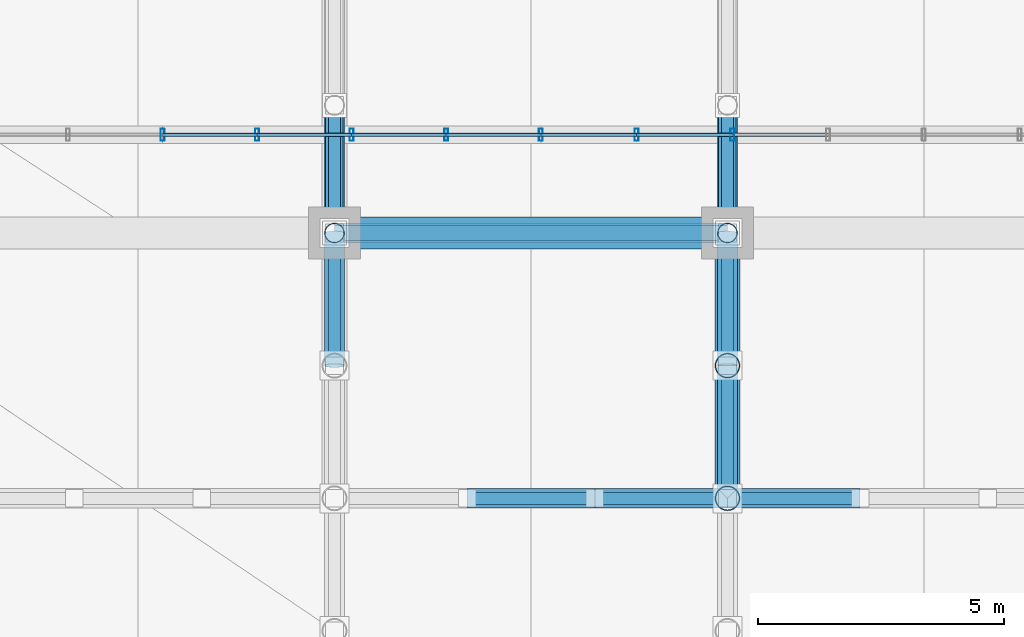
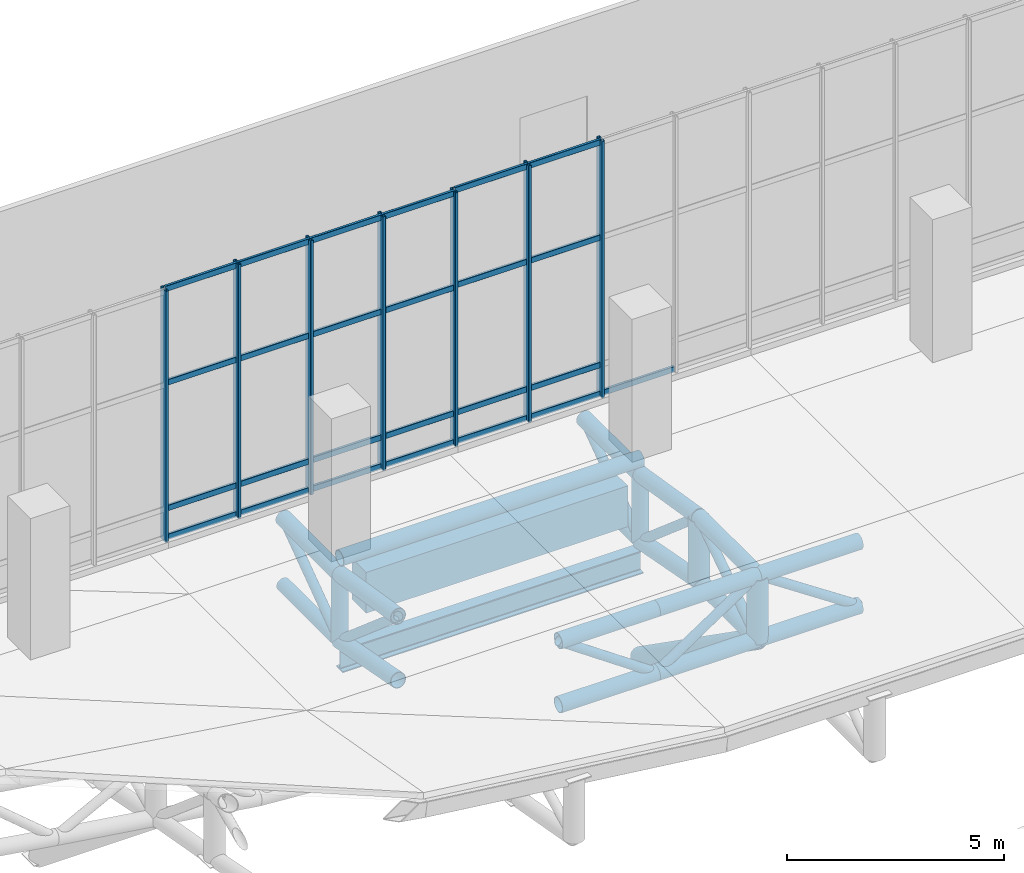
# One storey, part 26 of 137: 62 members, 2 beams, 3 elements without a shape of their own.
"""IFC4 building model written with IfcOpenShell, lengths in metres."""

from ifc_helpers import new_model, si_unit, direction, frame, origin, origin_2d, place, context, subcontext, project, spatial, rectangle, hollow_rectangle, hollow_circle, i_section, extrude, material, layer, layer_set, material_profile, profile_set, type_object, element, aggregate, save


model = new_model("IFC4")

# Units and contexts
model_context = context("Model", 3, precision=1e-05, world=origin(), true_north=direction((0.0, 1.0)))
body_context = subcontext(model_context, "Body", "Model", "MODEL_VIEW")
ifc_project = project(units=[si_unit("LENGTHUNIT", "METRE"), si_unit("AREAUNIT", "SQUARE_METRE"), si_unit("VOLUMEUNIT", "CUBIC_METRE"), si_unit("PLANEANGLEUNIT", "RADIAN"), si_unit("MASSUNIT", "GRAM", prefix="KILO")], contexts=[model_context])

# Site, building, storey
site_placement = place(None, origin())
site = spatial("IfcSite", under=ifc_project, at=site_placement, CompositionType="ELEMENT")
building_placement = place(site_placement, origin())
building = spatial("IfcBuilding", under=site, at=building_placement, Name="Khorjan Park Terminus", CompositionType="ELEMENT")
storey_placement = place(building_placement, frame((0.0, 0.0, 11.4)))
storey = spatial("IfcBuildingStorey", under=building, at=storey_placement, Name="L02", CompositionType="ELEMENT", Elevation=11.4)

# Members
ifc_material_1 = material(Name="Steel S355", Category="steel")
ifc_material_profile_1 = material_profile(ifc_material_1, hollow_circle(Radius=0.1222, WallThickness=0.0125, at=origin_2d()), Name="CHS 244.5x12.5")
ifc_profile_set_1 = profile_set([ifc_material_profile_1], Name="Steel S355")
member_type_1 = type_object("IfcMemberType", Name="MB-BR-245", PredefinedType="BRACE", material=ifc_profile_set_1)
for number, where, z_axis, x_axis, name in (
    (1, (80.0, 26.0, -1.92), (0.0, 0.811830357573, 0.583893372562), (-1.0, 0.0, 0.0), "Lower shell cantilever truss diagonal (5S)"),
    (2, (88.0, 26.0, -1.92), (0.0, 0.811830357573, 0.583893372562), (-1.0, 0.0, 0.0), "Lower shell cantilever truss diagonal (6S)"),
):
    element("IfcMember", number, at=place(storey_placement, frame(where, z_axis=z_axis, x_axis=x_axis)), inside=storey, type_object=member_type_1, Name=name, PredefinedType="BRACE", context=body_context, shape_type="SweptSolid", body=[
        extrude(hollow_circle(Radius=0.1222, WallThickness=0.0125, at=origin_2d()), origin(), (0.0, 0.0, 1.0), 3.2026),
    ])
ifc_material_profile_2 = material_profile(ifc_material_1, hollow_circle(Radius=0.1222, WallThickness=0.0125, at=origin_2d()), Name="CHS 244.5x12.5")
ifc_profile_set_2 = profile_set([ifc_material_profile_2], Name="Steel S355")
member_type_2 = type_object("IfcMemberType", Name="MB-BRE-245", PredefinedType="BRACE", material=ifc_profile_set_2)
member_1_placement = place(storey_placement, frame((80.0, 23.3, 0.392), z_axis=(0.0, 0.759574242279, -0.650420610426), x_axis=(-1.0, 0.0, 0.0)))
element("IfcMember", 3, at=member_1_placement, inside=storey, type_object=member_type_2, Name="Lower shell cantilever truss diagonal (5S)", PredefinedType="BRACE", context=body_context, shape_type="SweptSolid", body=[
    extrude(hollow_circle(Radius=0.1222, WallThickness=0.0125, at=origin_2d()), origin(), (0.0, 0.0, 1.0), 3.5546),
])
member_2_placement = place(storey_placement, frame((88.0, 20.6, -1.408), z_axis=(0.0, 0.832050294338, 0.554700196225), x_axis=(-1.0, 0.0, 0.0)))
element("IfcMember", 4, at=member_2_placement, inside=storey, type_object=member_type_2, Name="Lower shell cantilever truss diagonal (6S)", PredefinedType="BRACE", context=body_context, shape_type="SweptSolid", body=[
    extrude(hollow_circle(Radius=0.1222, WallThickness=0.0125, at=origin_2d()), origin(), (0.0, 0.0, 1.0), 3.245),
])
member_3_placement = place(storey_placement, frame((88.0, 23.3, 0.392), z_axis=(0.0, 0.759574242279, -0.650420610426), x_axis=(-1.0, 0.0, 0.0)))
element("IfcMember", 5, at=member_3_placement, inside=storey, type_object=member_type_2, Name="Lower shell cantilever truss diagonal (6S)", PredefinedType="BRACE", context=body_context, shape_type="SweptSolid", body=[
    extrude(hollow_circle(Radius=0.1222, WallThickness=0.0125, at=origin_2d()), origin(), (0.0, 0.0, 1.0), 3.5546),
])
member_4_placement = place(storey_placement, frame((82.7, 20.6, 0.392), z_axis=(0.822192191644, 0.0, -0.56920997883), x_axis=(0.0, 1.0, 0.0)))
element("IfcMember", 6, at=member_4_placement, inside=storey, type_object=member_type_2, Name="Lower shell mid-ring diagonal (S18)", PredefinedType="BRACE", context=body_context, shape_type="SweptSolid", body=[
    extrude(hollow_circle(Radius=0.1222, WallThickness=0.0125, at=origin_2d()), origin(), (0.0, 0.0, 1.0), 3.1623),
])
for number, where, z_axis, x_axis, name in (
    (7, (85.3, 20.6, -1.408), (0.832050294338, 0.0, 0.554700196225), (0.0, 1.0, 0.0), "Lower shell mid-ring diagonal (S19)"),
    (8, (88.0, 20.6, 0.392), (0.832050294338, 0.0, -0.554700196225), (0.0, 1.0, 0.0), "Lower shell mid-ring diagonal (S20)"),
):
    element("IfcMember", number, at=place(storey_placement, frame(where, z_axis=z_axis, x_axis=x_axis)), inside=storey, type_object=member_type_2, Name=name, PredefinedType="BRACE", context=body_context, shape_type="SweptSolid", body=[
        extrude(hollow_circle(Radius=0.1222, WallThickness=0.0125, at=origin_2d()), origin(), (0.0, 0.0, 1.0), 3.245),
    ])
ifc_material_profile_3 = material_profile(ifc_material_1, hollow_circle(Radius=0.1778, WallThickness=0.016, at=origin_2d()), Name="CHS 355.6x16")
ifc_profile_set_3 = profile_set([ifc_material_profile_3], Name="Steel S355")
member_type_3 = type_object("IfcMemberType", Name="MB-CH-356", PredefinedType="CHORD", material=ifc_profile_set_3)
for number, where, z_axis, x_axis, name in (
    (9, (80.0, 26.0, -1.92), (0.0, 1.0, 0.0), (-1.0, 0.0, 0.0), "Lower shell cantilever truss bottom chord (5S)"),
    (10, (88.0, 26.0, -1.92), (0.0, 1.0, 0.0), (-1.0, 0.0, 0.0), "Lower shell cantilever truss bottom chord (6S)"),
):
    element("IfcMember", number, at=place(storey_placement, frame(where, z_axis=z_axis, x_axis=x_axis)), inside=storey, type_object=member_type_3, Name=name, PredefinedType="CHORD", context=body_context, shape_type="SweptSolid", body=[
        extrude(hollow_circle(Radius=0.1778, WallThickness=0.016, at=origin_2d()), origin(), (0.0, 0.0, 1.0), 2.6),
    ])
ifc_material_profile_4 = material_profile(ifc_material_1, hollow_circle(Radius=0.2032, WallThickness=0.016, at=origin_2d()), Name="CHS 406.4x16")
ifc_profile_set_4 = profile_set([ifc_material_profile_4], Name="Steel S355")
member_type_4 = type_object("IfcMemberType", Name="MB-CH-406", PredefinedType="CHORD", material=ifc_profile_set_4)
for number, where, z_axis, x_axis, name in (
    (11, (80.0, 26.0, -0.05), (0.0, 1.0, 0.0), (-1.0, 0.0, 0.0), "Lower shell cantilever truss top chord (5S)"),
    (12, (88.0, 26.0, -0.05), (0.0, 1.0, 0.0), (-1.0, 0.0, 0.0), "Lower shell cantilever truss top chord (6S)"),
):
    element("IfcMember", number, at=place(storey_placement, frame(where, z_axis=z_axis, x_axis=x_axis)), inside=storey, type_object=member_type_4, Name=name, PredefinedType="CHORD", context=body_context, shape_type="SweptSolid", body=[
        extrude(hollow_circle(Radius=0.2032, WallThickness=0.016, at=origin_2d()), origin(), (0.0, 0.0, 1.0), 2.6),
    ])
ifc_material_profile_5 = material_profile(ifc_material_1, hollow_circle(Radius=0.2032, WallThickness=0.016, at=origin_2d()), Name="CHS 406.4x16")
ifc_profile_set_5 = profile_set([ifc_material_profile_5], Name="Steel S355")
member_type_5 = type_object("IfcMemberType", Name="MB-CHE-406", PredefinedType="CHORD", material=ifc_profile_set_5)
member_5_placement = place(storey_placement, frame((80.0, 26.0, 0.392), z_axis=(1.0, 0.0, 0.0), x_axis=(0.0, 1.0, 0.0)))
element("IfcMember", 13, at=member_5_placement, inside=storey, type_object=member_type_5, Name="Lower wrapping shell rim chord (63)", PredefinedType="CHORD", context=body_context, shape_type="SweptSolid", body=[
    extrude(hollow_circle(Radius=0.2032, WallThickness=0.016, at=origin_2d()), origin(), (0.0, 0.0, 1.0), 8.0),
])
member_6_placement = place(storey_placement, frame((80.0, 23.3, 0.392), z_axis=(0.0, 0.986863989833, -0.161553290188), x_axis=(-1.0, 0.0, 0.0)))
element("IfcMember", 14, at=member_6_placement, inside=storey, type_object=member_type_5, Name="Lower shell cantilever truss top chord (5S)", PredefinedType="CHORD", context=body_context, shape_type="SweptSolid", body=[
    extrude(hollow_circle(Radius=0.2032, WallThickness=0.016, at=origin_2d()), origin(), (0.0, 0.0, 1.0), 2.7359),
])
member_7_placement = place(storey_placement, frame((80.0, 23.3, -1.408), z_axis=(0.0, 0.98249111826, -0.18630942687), x_axis=(-1.0, 0.0, 0.0)))
element("IfcMember", 15, at=member_7_placement, inside=storey, type_object=member_type_5, Name="Lower shell cantilever truss bottom chord (5S)", PredefinedType="CHORD", context=body_context, shape_type="SweptSolid", body=[
    extrude(hollow_circle(Radius=0.2032, WallThickness=0.016, at=origin_2d()), origin(), (0.0, 0.0, 1.0), 2.7481),
])
for number, where, z_axis, x_axis, name in (
    (16, (88.0, 20.6, 0.392), (0.0, 1.0, 0.0), (-1.0, 0.0, 0.0), "Lower shell cantilever truss top chord (6S)"),
    (17, (88.0, 20.6, -1.408), (0.0, 1.0, 0.0), (-1.0, 0.0, 0.0), "Lower shell cantilever truss bottom chord (6S)"),
):
    element("IfcMember", number, at=place(storey_placement, frame(where, z_axis=z_axis, x_axis=x_axis)), inside=storey, type_object=member_type_5, Name=name, PredefinedType="CHORD", context=body_context, shape_type="SweptSolid", body=[
        extrude(hollow_circle(Radius=0.2032, WallThickness=0.016, at=origin_2d()), origin(), (0.0, 0.0, 1.0), 2.7),
    ])
member_8_placement = place(storey_placement, frame((88.0, 23.3, 0.392), z_axis=(0.0, 0.986863989833, -0.161553290188), x_axis=(-1.0, 0.0, 0.0)))
element("IfcMember", 18, at=member_8_placement, inside=storey, type_object=member_type_5, Name="Lower shell cantilever truss top chord (6S)", PredefinedType="CHORD", context=body_context, shape_type="SweptSolid", body=[
    extrude(hollow_circle(Radius=0.2032, WallThickness=0.016, at=origin_2d()), origin(), (0.0, 0.0, 1.0), 2.7359),
])
member_9_placement = place(storey_placement, frame((88.0, 23.3, -1.408), z_axis=(0.0, 0.98249111826, -0.18630942687), x_axis=(-1.0, 0.0, 0.0)))
element("IfcMember", 19, at=member_9_placement, inside=storey, type_object=member_type_5, Name="Lower shell cantilever truss bottom chord (6S)", PredefinedType="CHORD", context=body_context, shape_type="SweptSolid", body=[
    extrude(hollow_circle(Radius=0.2032, WallThickness=0.016, at=origin_2d()), origin(), (0.0, 0.0, 1.0), 2.7481),
])
for number, where, z_axis, x_axis, name in (
    (20, (82.7, 20.6, 0.392), (1.0, 0.0, 0.0), (0.0, 1.0, 0.0), "Lower shell mid-ring top chord (S18)"),
    (21, (82.7, 20.6, -1.408), (1.0, 0.0, 0.0), (0.0, 1.0, 0.0), "Lower shell mid-ring bottom chord (S18)"),
):
    element("IfcMember", number, at=place(storey_placement, frame(where, z_axis=z_axis, x_axis=x_axis)), inside=storey, type_object=member_type_5, Name=name, PredefinedType="CHORD", context=body_context, shape_type="SweptSolid", body=[
        extrude(hollow_circle(Radius=0.2032, WallThickness=0.016, at=origin_2d()), origin(), (0.0, 0.0, 1.0), 2.6),
    ])
for number, where, z_axis, x_axis, name in (
    (22, (85.3, 20.6, 0.392), (1.0, 0.0, 0.0), (0.0, 1.0, 0.0), "Lower shell mid-ring top chord (S19)"),
    (23, (85.3, 20.6, -1.408), (1.0, 0.0, 0.0), (0.0, 1.0, 0.0), "Lower shell mid-ring bottom chord (S19)"),
    (24, (88.0, 20.6, 0.392), (1.0, 0.0, 0.0), (0.0, 1.0, 0.0), "Lower shell mid-ring top chord (S20)"),
    (25, (88.0, 20.6, -1.408), (1.0, 0.0, 0.0), (0.0, 1.0, 0.0), "Lower shell mid-ring bottom chord (S20)"),
):
    element("IfcMember", number, at=place(storey_placement, frame(where, z_axis=z_axis, x_axis=x_axis)), inside=storey, type_object=member_type_5, Name=name, PredefinedType="CHORD", context=body_context, shape_type="SweptSolid", body=[
        extrude(hollow_circle(Radius=0.2032, WallThickness=0.016, at=origin_2d()), origin(), (0.0, 0.0, 1.0), 2.7),
    ])
ifc_material_profile_6 = material_profile(ifc_material_1, hollow_circle(Radius=0.2032, WallThickness=0.016, at=origin_2d()), Name="CHS 406.4x16")
ifc_profile_set_6 = profile_set([ifc_material_profile_6], Name="Steel S355")
member_type_6 = type_object("IfcMemberType", Name="MB-ST-406", PredefinedType="STRUT", material=ifc_profile_set_6)
for number, where, z_axis, x_axis, name in (
    (26, (80.0, 26.0, -1.92), (0.0, 0.0, 1.0), (1.0, 0.0, 0.0), "Lower shell cantilever truss post (5S)"),
    (27, (88.0, 26.0, -1.92), (0.0, 0.0, 1.0), (1.0, 0.0, 0.0), "Lower shell cantilever truss post (6S)"),
):
    element("IfcMember", number, at=place(storey_placement, frame(where, z_axis=z_axis, x_axis=x_axis)), inside=storey, type_object=member_type_6, Name=name, PredefinedType="STRUT", context=body_context, shape_type="SweptSolid", body=[
        extrude(hollow_circle(Radius=0.2032, WallThickness=0.016, at=origin_2d()), origin(), (0.0, 0.0, 1.0), 1.87),
    ])
ifc_material_profile_7 = material_profile(ifc_material_1, hollow_circle(Radius=0.254, WallThickness=0.02, at=origin_2d()), Name="CHS 508x20")
ifc_profile_set_7 = profile_set([ifc_material_profile_7], Name="Steel S355")
member_type_7 = type_object("IfcMemberType", Name="MB-STE-508", PredefinedType="STRUT", material=ifc_profile_set_7)
for number, where, z_axis, x_axis, name in (
    (28, (88.0, 20.6, -1.408), (0.0, 0.0, 1.0), (1.0, 0.0, 0.0), "Lower shell cantilever truss post (6S)"),
    (29, (88.0, 23.3, -1.408), (0.0, 0.0, 1.0), (1.0, 0.0, 0.0), "Lower shell cantilever truss post (6S)"),
):
    element("IfcMember", number, at=place(storey_placement, frame(where, z_axis=z_axis, x_axis=x_axis)), inside=storey, type_object=member_type_7, Name=name, PredefinedType="STRUT", context=body_context, shape_type="SweptSolid", body=[
        extrude(hollow_circle(Radius=0.254, WallThickness=0.02, at=origin_2d()), origin(), (0.0, 0.0, 1.0), 1.8),
    ])
member_10_placement = place(storey_placement, frame((88.0, 26.0, -5.2), z_axis=(0.0, -0.818376628533, 0.574682254703), x_axis=(1.0, 0.0, 0.0)))
element("IfcMember", 30, at=member_10_placement, inside=storey, type_object=member_type_7, Name="Lower shell raked overhang V-strut STE-51 (6S)", PredefinedType="STRUT", context=body_context, shape_type="SweptSolid", body=[
    extrude(hollow_circle(Radius=0.254, WallThickness=0.02, at=origin_2d()), origin(), (0.0, 0.0, 1.0), 6.5984),
])

# Curtain wall, member
ifc_material_2 = material(Name="Anodized Bronze Aluminium", Category="aluminium")
ifc_layer = layer(ifc_material_2, 0.22)
ifc_layer_set = layer_set([ifc_layer], Name="Anodized Bronze Aluminium")
curtain_wall_type = type_object("IfcCurtainWallType", Name="CW-CONC-CLR", PredefinedType="NOTDEFINED", material=ifc_layer_set)
curtain_wall_1_placement = place(storey_placement, origin())
curtain_wall_1 = element("IfcCurtainWall", 31, at=curtain_wall_1_placement, inside=storey, type_object=curtain_wall_type, Name="Unitized curtain wall CW-CL (CW-V2-S-CLR-02)", PredefinedType="NOTDEFINED")
ifc_material_profile_8 = material_profile(ifc_material_2, hollow_rectangle(XDim=0.08, YDim=0.25, WallThickness=0.005, InnerFilletRadius=0.005, OuterFilletRadius=0.01, at=origin_2d()), Name="ALM 80x250x5")
ifc_profile_set_8 = profile_set([ifc_material_profile_8], Name="Anodized Bronze Aluminium")
member_type_8 = type_object("IfcMemberType", Name="ML-ALM-250", PredefinedType="MULLION", material=ifc_profile_set_8)
member_11_placement = place(storey_placement, frame((76.5, 28.0, 0.915), z_axis=(0.0, 0.0, 1.0), x_axis=(1.0, 0.0, 0.0)))
member_11 = element("IfcMember", 32, at=member_11_placement, type_object=member_type_8, Name="Curtain-wall mullion ML-25 (CW-V2-S-CLR-02-4)", PredefinedType="MULLION", context=body_context, shape_type="SweptSolid", body=[
    extrude(hollow_rectangle(XDim=0.08, YDim=0.25, WallThickness=0.005, InnerFilletRadius=0.005, OuterFilletRadius=0.01, at=origin_2d()), origin(), (0.0, 0.0, 1.0), 7.0716),
])
aggregate(curtain_wall_1, [member_11])

# Curtain wall, members
curtain_wall_2_placement = place(storey_placement, origin())
curtain_wall_2 = element("IfcCurtainWall", 33, at=curtain_wall_2_placement, inside=storey, type_object=curtain_wall_type, Name="Unitized curtain wall CW-CL (CW-V2-S-CLR-03)", PredefinedType="NOTDEFINED")
member_12_placement = place(storey_placement, frame((78.425, 28.0, 0.915), z_axis=(0.0, 0.0, 1.0), x_axis=(1.0, 0.0, 0.0)))
member_12 = element("IfcMember", 34, at=member_12_placement, type_object=member_type_8, Name="Curtain-wall mullion ML-25 (CW-V2-S-CLR-03-1)", PredefinedType="MULLION", context=body_context, shape_type="SweptSolid", body=[
    extrude(hollow_rectangle(XDim=0.08, YDim=0.25, WallThickness=0.005, InnerFilletRadius=0.005, OuterFilletRadius=0.01, at=origin_2d()), origin(), (0.0, 0.0, 1.0), 7.1432),
])
member_13_placement = place(storey_placement, frame((80.35, 28.0, 0.915), z_axis=(0.0, 0.0, 1.0), x_axis=(1.0, 0.0, 0.0)))
member_13 = element("IfcMember", 35, at=member_13_placement, type_object=member_type_8, Name="Curtain-wall mullion ML-25 (CW-V2-S-CLR-03-2)", PredefinedType="MULLION", context=body_context, shape_type="SweptSolid", body=[
    extrude(hollow_rectangle(XDim=0.08, YDim=0.25, WallThickness=0.005, InnerFilletRadius=0.005, OuterFilletRadius=0.01, at=origin_2d()), origin(), (0.0, 0.0, 1.0), 7.1432),
])
member_14_placement = place(storey_placement, frame((82.275, 28.0, 0.915), z_axis=(0.0, 0.0, 1.0), x_axis=(1.0, 0.0, 0.0)))
member_14 = element("IfcMember", 36, at=member_14_placement, type_object=member_type_8, Name="Curtain-wall mullion ML-25 (CW-V2-S-CLR-03-3)", PredefinedType="MULLION", context=body_context, shape_type="SweptSolid", body=[
    extrude(hollow_rectangle(XDim=0.08, YDim=0.25, WallThickness=0.005, InnerFilletRadius=0.005, OuterFilletRadius=0.01, at=origin_2d()), origin(), (0.0, 0.0, 1.0), 7.1432),
])
member_15_placement = place(storey_placement, frame((84.2, 28.0, 0.915), z_axis=(0.0, 0.0, 1.0), x_axis=(1.0, 0.0, 0.0)))
member_15 = element("IfcMember", 37, at=member_15_placement, type_object=member_type_8, Name="Curtain-wall mullion ML-25 (CW-V2-S-CLR-03-4)", PredefinedType="MULLION", context=body_context, shape_type="SweptSolid", body=[
    extrude(hollow_rectangle(XDim=0.08, YDim=0.25, WallThickness=0.005, InnerFilletRadius=0.005, OuterFilletRadius=0.01, at=origin_2d()), origin(), (0.0, 0.0, 1.0), 7.1432),
])

curtain_wall_3_placement = place(storey_placement, origin())
curtain_wall_3 = element("IfcCurtainWall", 38, at=curtain_wall_3_placement, inside=storey, type_object=curtain_wall_type, Name="Unitized curtain wall CW-CL (CW-V2-S-CLR-04)", PredefinedType="NOTDEFINED")
member_16_placement = place(storey_placement, frame((86.15, 28.0, 0.915), z_axis=(0.0, 0.0, 1.0), x_axis=(1.0, 0.0, 0.0)))
member_16 = element("IfcMember", 39, at=member_16_placement, type_object=member_type_8, Name="Curtain-wall mullion ML-25 (CW-V2-S-CLR-04-1)", PredefinedType="MULLION", context=body_context, shape_type="SweptSolid", body=[
    extrude(hollow_rectangle(XDim=0.08, YDim=0.25, WallThickness=0.005, InnerFilletRadius=0.005, OuterFilletRadius=0.01, at=origin_2d()), origin(), (0.0, 0.0, 1.0), 7.2215),
])
member_17_placement = place(storey_placement, frame((88.1, 28.0, 0.915), z_axis=(0.0, 0.0, 1.0), x_axis=(1.0, 0.0, 0.0)))
member_17 = element("IfcMember", 40, at=member_17_placement, type_object=member_type_8, Name="Curtain-wall mullion ML-25 (CW-V2-S-CLR-04-2)", PredefinedType="MULLION", context=body_context, shape_type="SweptSolid", body=[
    extrude(hollow_rectangle(XDim=0.08, YDim=0.25, WallThickness=0.005, InnerFilletRadius=0.005, OuterFilletRadius=0.01, at=origin_2d()), origin(), (0.0, 0.0, 1.0), 7.2215),
])

# Beams
ifc_material_profile_9 = material_profile(ifc_material_1, i_section(OverallWidth=0.3, OverallDepth=0.65, WebThickness=0.016, FlangeThickness=0.031, FilletRadius=0.027, at=origin_2d()), Name="HEB 650")
ifc_profile_set_9 = profile_set([ifc_material_profile_9], Name="Steel S355")
beam_type_1 = type_object("IfcBeamType", Name="SP-HEB650E", PredefinedType="SPANDREL", material=ifc_profile_set_9)
beam_1_placement = place(storey_placement, frame((80.0, 26.0, -2.425), z_axis=(1.0, 0.0, 0.0), x_axis=(0.0, 1.0, 0.0)))
element("IfcBeam", 41, at=beam_1_placement, inside=storey, type_object=beam_type_1, Name="Lower shell truss support girder SP-E65 (X5)", PredefinedType="SPANDREL", context=body_context, shape_type="SweptSolid", body=[
    extrude(i_section(OverallWidth=0.3, OverallDepth=0.65, WebThickness=0.016, FlangeThickness=0.031, FilletRadius=0.027, at=origin_2d()), origin(), (0.0, 0.0, 1.0), 8.0),
])
ifc_material_3 = material(Name="Concrete C50/60", Category="concrete")
ifc_material_profile_10 = material_profile(ifc_material_3, rectangle(XDim=0.65, YDim=1.15, at=origin_2d()), Name="RC 650x1150")
ifc_profile_set_10 = profile_set([ifc_material_profile_10], Name="Concrete C50/60")
beam_type_2 = type_object("IfcBeamType", Name="SP-RC650x1150", PredefinedType="SPANDREL", material=ifc_profile_set_10)
beam_2_placement = place(storey_placement, frame((80.52, 26.0, -0.575), z_axis=(1.0, 0.0, 0.0), x_axis=(0.0, 1.0, 0.0)))
element("IfcBeam", 42, at=beam_2_placement, inside=storey, type_object=beam_type_2, Name="Concourse lower colonnade ring beam SP-11 (L02-45)", PredefinedType="SPANDREL", context=body_context, shape_type="SweptSolid", body=[
    extrude(rectangle(XDim=0.65, YDim=1.15, at=origin_2d()), origin(), (0.0, 0.0, 1.0), 6.96),
])

# Member
ifc_material_profile_11 = material_profile(ifc_material_2, hollow_rectangle(XDim=0.07, YDim=0.16, WallThickness=0.004, InnerFilletRadius=0.004, OuterFilletRadius=0.008, at=origin_2d()), Name="ALT 70x160x4")
ifc_profile_set_11 = profile_set([ifc_material_profile_11], Name="Anodized Bronze Aluminium")
member_type_9 = type_object("IfcMemberType", Name="TR-ALT-160", PredefinedType="USERDEFINED", material=ifc_profile_set_11)
member_18_placement = place(storey_placement, frame((76.5, 28.0, 0.99), z_axis=(1.0, 0.0, 0.0), x_axis=(0.0, 1.0, 0.0)))
member_18 = element("IfcMember", 43, at=member_18_placement, type_object=member_type_9, Name="Curtain-wall transom TR-16 (CW-V2-S-CLR-03-0-1)", ObjectType="TRANSOM", PredefinedType="USERDEFINED", context=body_context, shape_type="SweptSolid", body=[
    extrude(hollow_rectangle(XDim=0.07, YDim=0.16, WallThickness=0.004, InnerFilletRadius=0.004, OuterFilletRadius=0.008, at=origin_2d()), origin(), (0.0, 0.0, 1.0), 1.925),
])

member_19_placement = place(storey_placement, frame((76.5, 28.0, 1.8), z_axis=(1.0, 0.0, 0.0), x_axis=(0.0, 1.0, 0.0)))
member_19 = element("IfcMember", 44, at=member_19_placement, type_object=member_type_9, Name="Curtain-wall transom TR-16 (CW-V2-S-CLR-03-0-2)", ObjectType="TRANSOM", PredefinedType="USERDEFINED", context=body_context, shape_type="SweptSolid", body=[
    extrude(hollow_rectangle(XDim=0.07, YDim=0.16, WallThickness=0.004, InnerFilletRadius=0.004, OuterFilletRadius=0.008, at=origin_2d()), origin(), (0.0, 0.0, 1.0), 1.925),
])

member_20_placement = place(storey_placement, frame((76.5, 28.0, 5.3354), z_axis=(1.0, 0.0, 0.0), x_axis=(0.0, 1.0, 0.0)))
member_20 = element("IfcMember", 45, at=member_20_placement, type_object=member_type_9, Name="Curtain-wall transom TR-16 (CW-V2-S-CLR-03-0-3)", ObjectType="TRANSOM", PredefinedType="USERDEFINED", context=body_context, shape_type="SweptSolid", body=[
    extrude(hollow_rectangle(XDim=0.07, YDim=0.16, WallThickness=0.004, InnerFilletRadius=0.004, OuterFilletRadius=0.008, at=origin_2d()), origin(), (0.0, 0.0, 1.0), 1.925),
])

member_21_placement = place(storey_placement, frame((76.5, 28.0, 7.9832), z_axis=(1.0, 0.0, 0.0), x_axis=(0.0, 1.0, 0.0)))
member_21 = element("IfcMember", 46, at=member_21_placement, type_object=member_type_9, Name="Curtain-wall transom TR-16 (CW-V2-S-CLR-03-0-4)", ObjectType="TRANSOM", PredefinedType="USERDEFINED", context=body_context, shape_type="SweptSolid", body=[
    extrude(hollow_rectangle(XDim=0.07, YDim=0.16, WallThickness=0.004, InnerFilletRadius=0.004, OuterFilletRadius=0.008, at=origin_2d()), origin(), (0.0, 0.0, 1.0), 1.925),
])

member_22_placement = place(storey_placement, frame((78.425, 28.0, 0.99), z_axis=(1.0, 0.0, 0.0), x_axis=(0.0, 1.0, 0.0)))
member_22 = element("IfcMember", 47, at=member_22_placement, type_object=member_type_9, Name="Curtain-wall transom TR-16 (CW-V2-S-CLR-03-1-1)", ObjectType="TRANSOM", PredefinedType="USERDEFINED", context=body_context, shape_type="SweptSolid", body=[
    extrude(hollow_rectangle(XDim=0.07, YDim=0.16, WallThickness=0.004, InnerFilletRadius=0.004, OuterFilletRadius=0.008, at=origin_2d()), origin(), (0.0, 0.0, 1.0), 1.925),
])

member_23_placement = place(storey_placement, frame((78.425, 28.0, 1.8), z_axis=(1.0, 0.0, 0.0), x_axis=(0.0, 1.0, 0.0)))
member_23 = element("IfcMember", 48, at=member_23_placement, type_object=member_type_9, Name="Curtain-wall transom TR-16 (CW-V2-S-CLR-03-1-2)", ObjectType="TRANSOM", PredefinedType="USERDEFINED", context=body_context, shape_type="SweptSolid", body=[
    extrude(hollow_rectangle(XDim=0.07, YDim=0.16, WallThickness=0.004, InnerFilletRadius=0.004, OuterFilletRadius=0.008, at=origin_2d()), origin(), (0.0, 0.0, 1.0), 1.925),
])

member_24_placement = place(storey_placement, frame((78.425, 28.0, 5.3354), z_axis=(1.0, 0.0, 0.0), x_axis=(0.0, 1.0, 0.0)))
member_24 = element("IfcMember", 49, at=member_24_placement, type_object=member_type_9, Name="Curtain-wall transom TR-16 (CW-V2-S-CLR-03-1-3)", ObjectType="TRANSOM", PredefinedType="USERDEFINED", context=body_context, shape_type="SweptSolid", body=[
    extrude(hollow_rectangle(XDim=0.07, YDim=0.16, WallThickness=0.004, InnerFilletRadius=0.004, OuterFilletRadius=0.008, at=origin_2d()), origin(), (0.0, 0.0, 1.0), 1.925),
])

member_25_placement = place(storey_placement, frame((78.425, 28.0, 7.9832), z_axis=(1.0, 0.0, 0.0), x_axis=(0.0, 1.0, 0.0)))
member_25 = element("IfcMember", 50, at=member_25_placement, type_object=member_type_9, Name="Curtain-wall transom TR-16 (CW-V2-S-CLR-03-1-4)", ObjectType="TRANSOM", PredefinedType="USERDEFINED", context=body_context, shape_type="SweptSolid", body=[
    extrude(hollow_rectangle(XDim=0.07, YDim=0.16, WallThickness=0.004, InnerFilletRadius=0.004, OuterFilletRadius=0.008, at=origin_2d()), origin(), (0.0, 0.0, 1.0), 1.925),
])

member_26_placement = place(storey_placement, frame((80.35, 28.0, 0.99), z_axis=(1.0, 0.0, 0.0), x_axis=(0.0, 1.0, 0.0)))
member_26 = element("IfcMember", 51, at=member_26_placement, type_object=member_type_9, Name="Curtain-wall transom TR-16 (CW-V2-S-CLR-03-2-1)", ObjectType="TRANSOM", PredefinedType="USERDEFINED", context=body_context, shape_type="SweptSolid", body=[
    extrude(hollow_rectangle(XDim=0.07, YDim=0.16, WallThickness=0.004, InnerFilletRadius=0.004, OuterFilletRadius=0.008, at=origin_2d()), origin(), (0.0, 0.0, 1.0), 1.925),
])

member_27_placement = place(storey_placement, frame((80.35, 28.0, 1.8), z_axis=(1.0, 0.0, 0.0), x_axis=(0.0, 1.0, 0.0)))
member_27 = element("IfcMember", 52, at=member_27_placement, type_object=member_type_9, Name="Curtain-wall transom TR-16 (CW-V2-S-CLR-03-2-2)", ObjectType="TRANSOM", PredefinedType="USERDEFINED", context=body_context, shape_type="SweptSolid", body=[
    extrude(hollow_rectangle(XDim=0.07, YDim=0.16, WallThickness=0.004, InnerFilletRadius=0.004, OuterFilletRadius=0.008, at=origin_2d()), origin(), (0.0, 0.0, 1.0), 1.925),
])

member_28_placement = place(storey_placement, frame((80.35, 28.0, 5.3354), z_axis=(1.0, 0.0, 0.0), x_axis=(0.0, 1.0, 0.0)))
member_28 = element("IfcMember", 53, at=member_28_placement, type_object=member_type_9, Name="Curtain-wall transom TR-16 (CW-V2-S-CLR-03-2-3)", ObjectType="TRANSOM", PredefinedType="USERDEFINED", context=body_context, shape_type="SweptSolid", body=[
    extrude(hollow_rectangle(XDim=0.07, YDim=0.16, WallThickness=0.004, InnerFilletRadius=0.004, OuterFilletRadius=0.008, at=origin_2d()), origin(), (0.0, 0.0, 1.0), 1.925),
])

member_29_placement = place(storey_placement, frame((80.35, 28.0, 7.9832), z_axis=(1.0, 0.0, 0.0), x_axis=(0.0, 1.0, 0.0)))
member_29 = element("IfcMember", 54, at=member_29_placement, type_object=member_type_9, Name="Curtain-wall transom TR-16 (CW-V2-S-CLR-03-2-4)", ObjectType="TRANSOM", PredefinedType="USERDEFINED", context=body_context, shape_type="SweptSolid", body=[
    extrude(hollow_rectangle(XDim=0.07, YDim=0.16, WallThickness=0.004, InnerFilletRadius=0.004, OuterFilletRadius=0.008, at=origin_2d()), origin(), (0.0, 0.0, 1.0), 1.925),
])

member_30_placement = place(storey_placement, frame((82.275, 28.0, 0.99), z_axis=(1.0, 0.0, 0.0), x_axis=(0.0, 1.0, 0.0)))
member_30 = element("IfcMember", 55, at=member_30_placement, type_object=member_type_9, Name="Curtain-wall transom TR-16 (CW-V2-S-CLR-03-3-1)", ObjectType="TRANSOM", PredefinedType="USERDEFINED", context=body_context, shape_type="SweptSolid", body=[
    extrude(hollow_rectangle(XDim=0.07, YDim=0.16, WallThickness=0.004, InnerFilletRadius=0.004, OuterFilletRadius=0.008, at=origin_2d()), origin(), (0.0, 0.0, 1.0), 1.925),
])

member_31_placement = place(storey_placement, frame((82.275, 28.0, 1.8), z_axis=(1.0, 0.0, 0.0), x_axis=(0.0, 1.0, 0.0)))
member_31 = element("IfcMember", 56, at=member_31_placement, type_object=member_type_9, Name="Curtain-wall transom TR-16 (CW-V2-S-CLR-03-3-2)", ObjectType="TRANSOM", PredefinedType="USERDEFINED", context=body_context, shape_type="SweptSolid", body=[
    extrude(hollow_rectangle(XDim=0.07, YDim=0.16, WallThickness=0.004, InnerFilletRadius=0.004, OuterFilletRadius=0.008, at=origin_2d()), origin(), (0.0, 0.0, 1.0), 1.925),
])

member_32_placement = place(storey_placement, frame((82.275, 28.0, 5.3354), z_axis=(1.0, 0.0, 0.0), x_axis=(0.0, 1.0, 0.0)))
member_32 = element("IfcMember", 57, at=member_32_placement, type_object=member_type_9, Name="Curtain-wall transom TR-16 (CW-V2-S-CLR-03-3-3)", ObjectType="TRANSOM", PredefinedType="USERDEFINED", context=body_context, shape_type="SweptSolid", body=[
    extrude(hollow_rectangle(XDim=0.07, YDim=0.16, WallThickness=0.004, InnerFilletRadius=0.004, OuterFilletRadius=0.008, at=origin_2d()), origin(), (0.0, 0.0, 1.0), 1.925),
])

member_33_placement = place(storey_placement, frame((82.275, 28.0, 7.9832), z_axis=(1.0, 0.0, 0.0), x_axis=(0.0, 1.0, 0.0)))
member_33 = element("IfcMember", 58, at=member_33_placement, type_object=member_type_9, Name="Curtain-wall transom TR-16 (CW-V2-S-CLR-03-3-4)", ObjectType="TRANSOM", PredefinedType="USERDEFINED", context=body_context, shape_type="SweptSolid", body=[
    extrude(hollow_rectangle(XDim=0.07, YDim=0.16, WallThickness=0.004, InnerFilletRadius=0.004, OuterFilletRadius=0.008, at=origin_2d()), origin(), (0.0, 0.0, 1.0), 1.925),
])

aggregate(curtain_wall_2, [member_12, member_13, member_14, member_15, member_18, member_19, member_20, member_21, member_22, member_23, member_24, member_25, member_26, member_27, member_28, member_29, member_30, member_31, member_32, member_33])

member_34_placement = place(storey_placement, frame((84.2, 28.0, 0.99), z_axis=(1.0, 0.0, 0.0), x_axis=(0.0, 1.0, 0.0)))
member_34 = element("IfcMember", 59, at=member_34_placement, type_object=member_type_9, Name="Curtain-wall transom TR-16 (CW-V2-S-CLR-04-0-1)", ObjectType="TRANSOM", PredefinedType="USERDEFINED", context=body_context, shape_type="SweptSolid", body=[
    extrude(hollow_rectangle(XDim=0.07, YDim=0.16, WallThickness=0.004, InnerFilletRadius=0.004, OuterFilletRadius=0.008, at=origin_2d()), origin(), (0.0, 0.0, 1.0), 1.95),
])

member_35_placement = place(storey_placement, frame((84.2, 28.0, 1.8), z_axis=(1.0, 0.0, 0.0), x_axis=(0.0, 1.0, 0.0)))
member_35 = element("IfcMember", 60, at=member_35_placement, type_object=member_type_9, Name="Curtain-wall transom TR-16 (CW-V2-S-CLR-04-0-2)", ObjectType="TRANSOM", PredefinedType="USERDEFINED", context=body_context, shape_type="SweptSolid", body=[
    extrude(hollow_rectangle(XDim=0.07, YDim=0.16, WallThickness=0.004, InnerFilletRadius=0.004, OuterFilletRadius=0.008, at=origin_2d()), origin(), (0.0, 0.0, 1.0), 1.95),
])

member_36_placement = place(storey_placement, frame((84.2, 28.0, 5.3839), z_axis=(1.0, 0.0, 0.0), x_axis=(0.0, 1.0, 0.0)))
member_36 = element("IfcMember", 61, at=member_36_placement, type_object=member_type_9, Name="Curtain-wall transom TR-16 (CW-V2-S-CLR-04-0-3)", ObjectType="TRANSOM", PredefinedType="USERDEFINED", context=body_context, shape_type="SweptSolid", body=[
    extrude(hollow_rectangle(XDim=0.07, YDim=0.16, WallThickness=0.004, InnerFilletRadius=0.004, OuterFilletRadius=0.008, at=origin_2d()), origin(), (0.0, 0.0, 1.0), 1.95),
])

member_37_placement = place(storey_placement, frame((84.2, 28.0, 8.0615), z_axis=(1.0, 0.0, 0.0), x_axis=(0.0, 1.0, 0.0)))
member_37 = element("IfcMember", 62, at=member_37_placement, type_object=member_type_9, Name="Curtain-wall transom TR-16 (CW-V2-S-CLR-04-0-4)", ObjectType="TRANSOM", PredefinedType="USERDEFINED", context=body_context, shape_type="SweptSolid", body=[
    extrude(hollow_rectangle(XDim=0.07, YDim=0.16, WallThickness=0.004, InnerFilletRadius=0.004, OuterFilletRadius=0.008, at=origin_2d()), origin(), (0.0, 0.0, 1.0), 1.95),
])

member_38_placement = place(storey_placement, frame((86.15, 28.0, 0.99), z_axis=(1.0, 0.0, 0.0), x_axis=(0.0, 1.0, 0.0)))
member_38 = element("IfcMember", 63, at=member_38_placement, type_object=member_type_9, Name="Curtain-wall transom TR-16 (CW-V2-S-CLR-04-1-1)", ObjectType="TRANSOM", PredefinedType="USERDEFINED", context=body_context, shape_type="SweptSolid", body=[
    extrude(hollow_rectangle(XDim=0.07, YDim=0.16, WallThickness=0.004, InnerFilletRadius=0.004, OuterFilletRadius=0.008, at=origin_2d()), origin(), (0.0, 0.0, 1.0), 1.95),
])

member_39_placement = place(storey_placement, frame((86.15, 28.0, 1.8), z_axis=(1.0, 0.0, 0.0), x_axis=(0.0, 1.0, 0.0)))
member_39 = element("IfcMember", 64, at=member_39_placement, type_object=member_type_9, Name="Curtain-wall transom TR-16 (CW-V2-S-CLR-04-1-2)", ObjectType="TRANSOM", PredefinedType="USERDEFINED", context=body_context, shape_type="SweptSolid", body=[
    extrude(hollow_rectangle(XDim=0.07, YDim=0.16, WallThickness=0.004, InnerFilletRadius=0.004, OuterFilletRadius=0.008, at=origin_2d()), origin(), (0.0, 0.0, 1.0), 1.95),
])

member_40_placement = place(storey_placement, frame((86.15, 28.0, 5.3839), z_axis=(1.0, 0.0, 0.0), x_axis=(0.0, 1.0, 0.0)))
member_40 = element("IfcMember", 65, at=member_40_placement, type_object=member_type_9, Name="Curtain-wall transom TR-16 (CW-V2-S-CLR-04-1-3)", ObjectType="TRANSOM", PredefinedType="USERDEFINED", context=body_context, shape_type="SweptSolid", body=[
    extrude(hollow_rectangle(XDim=0.07, YDim=0.16, WallThickness=0.004, InnerFilletRadius=0.004, OuterFilletRadius=0.008, at=origin_2d()), origin(), (0.0, 0.0, 1.0), 1.95),
])

member_41_placement = place(storey_placement, frame((86.15, 28.0, 8.0615), z_axis=(1.0, 0.0, 0.0), x_axis=(0.0, 1.0, 0.0)))
member_41 = element("IfcMember", 66, at=member_41_placement, type_object=member_type_9, Name="Curtain-wall transom TR-16 (CW-V2-S-CLR-04-1-4)", ObjectType="TRANSOM", PredefinedType="USERDEFINED", context=body_context, shape_type="SweptSolid", body=[
    extrude(hollow_rectangle(XDim=0.07, YDim=0.16, WallThickness=0.004, InnerFilletRadius=0.004, OuterFilletRadius=0.008, at=origin_2d()), origin(), (0.0, 0.0, 1.0), 1.95),
])

member_42_placement = place(storey_placement, frame((88.1, 28.0, 0.99), z_axis=(1.0, 0.0, 0.0), x_axis=(0.0, 1.0, 0.0)))
member_42 = element("IfcMember", 67, at=member_42_placement, type_object=member_type_9, Name="Curtain-wall transom TR-16 (CW-V2-S-CLR-04-2-1)", ObjectType="TRANSOM", PredefinedType="USERDEFINED", context=body_context, shape_type="SweptSolid", body=[
    extrude(hollow_rectangle(XDim=0.07, YDim=0.16, WallThickness=0.004, InnerFilletRadius=0.004, OuterFilletRadius=0.008, at=origin_2d()), origin(), (0.0, 0.0, 1.0), 1.95),
])

aggregate(curtain_wall_3, [member_16, member_17, member_34, member_35, member_36, member_37, member_38, member_39, member_40, member_41, member_42])

save(model, "model.ifc")
